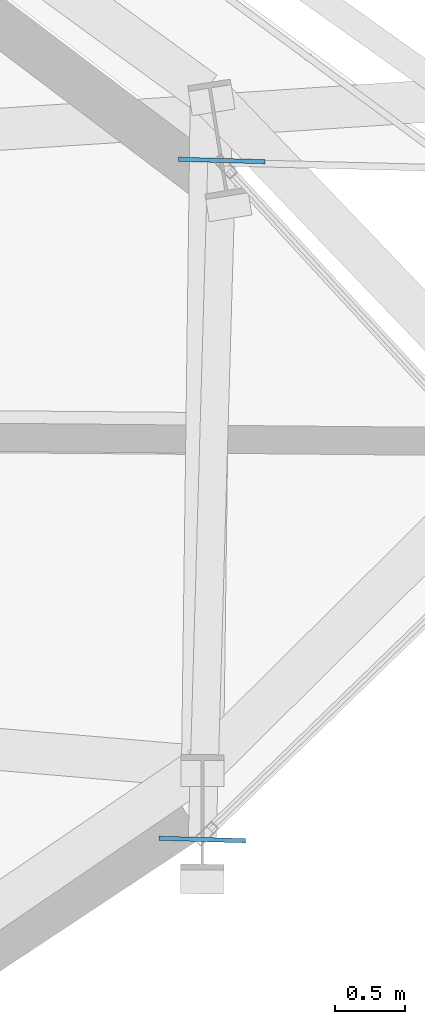
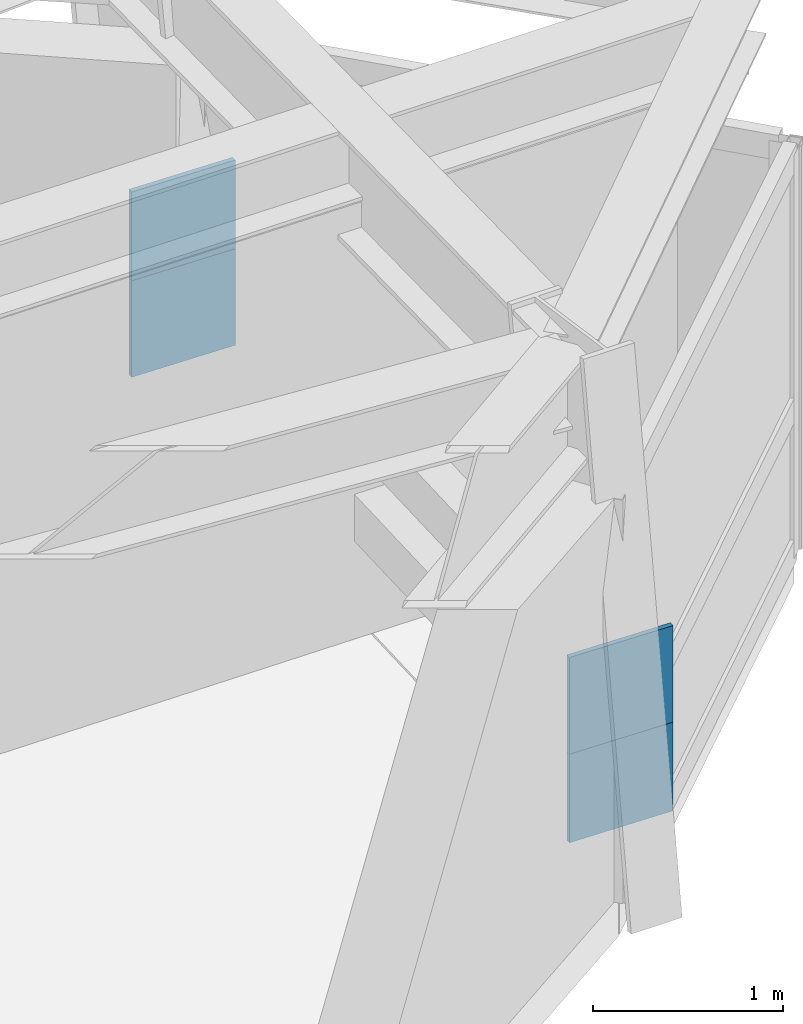
# One storey, part 16 of 24: 4 plates.
"""IFC4 building model written with IfcOpenShell, lengths in metres."""

import ifcopenshell
import ifcopenshell.guid

model = None  # the IFC model being written
_history = None  # IfcOwnerHistory: only IFC2X3 demands one
_inside = {}  # id of a spatial element -> (the spatial element, [elements in it])
_under = {}  # id of a project, library or spatial element -> (it, [spatial elements below it])
_declared = {}  # id of a project -> (the project, [libraries it declares])
_typed = {}  # id of a type object -> (the type object, [elements of that type])
_made_of = {}  # id of a material, layer set ... -> (it, [elements and type objects made of it])


def new_model(schema):
    """Start an empty IFC model of exactly this schema.

    Asked for "IFC4X3", IfcOpenShell would pick the latest addendum, in which some entities
    have other attributes; the version numbers below select the first issue.
    IFC2X3 requires an IfcOwnerHistory on every rooted entity: one is made here for all.
    """
    global model, _history
    if schema == "IFC4X3":
        model = ifcopenshell.file(schema_version=(4, 3, 0, 0))
    else:
        model = ifcopenshell.file(schema=schema)
    _inside.clear()
    _under.clear()
    _declared.clear()
    _typed.clear()
    _made_of.clear()
    _history = None
    if model.schema == "IFC2X3":
        org = make("IfcOrganization", Name="unknown")
        user = make(
            "IfcPersonAndOrganization",
            ThePerson=make("IfcPerson", FamilyName="unknown"),
            TheOrganization=org,
        )
        app = make(
            "IfcApplication",
            ApplicationDeveloper=org,
            Version="unknown",
            ApplicationFullName="unknown",
            ApplicationIdentifier="unknown",
        )
        _history = make(
            "IfcOwnerHistory",
            OwningUser=user,
            OwningApplication=app,
            ChangeAction="ADDED",
            CreationDate=0,
        )
    return model


def make(cls, **values):
    """One entity of the class cls with the attributes given. An attribute that is None is left unset."""
    return model.create_entity(
        cls, **{name: value for name, value in values.items() if value is not None}
    )


def rooted(cls, **values):
    """An entity with a GlobalId (a new one), such as an element, a storey or a relation."""
    return make(cls, GlobalId=ifcopenshell.guid.new(), OwnerHistory=_history, **values)


def si_unit(unit_type, name, prefix=None):
    """IfcSIUnit, for example si_unit("LENGTHUNIT", "METRE", prefix="MILLI")."""
    return make("IfcSIUnit", UnitType=unit_type, Prefix=prefix, Name=name)


def assignment(units):
    """IfcUnitAssignment: the units of a project."""
    return None if units is None else make("IfcUnitAssignment", Units=units)


def point(xyz):
    """IfcCartesianPoint."""
    return None if xyz is None else make("IfcCartesianPoint", Coordinates=xyz)


def direction(xyz):
    """IfcDirection."""
    return None if xyz is None else make("IfcDirection", DirectionRatios=xyz)


def frame(location, z_axis=None, x_axis=None):
    """IfcAxis2Placement3D, a coordinate frame: its origin and axes. An axis left out is left unset."""
    return make(
        "IfcAxis2Placement3D",
        Location=point(location),
        Axis=direction(z_axis),
        RefDirection=direction(x_axis),
    )


def frame_2d(location, x_axis=None):
    """IfcAxis2Placement2D, a coordinate frame in the plane: its origin and x axis."""
    return make(
        "IfcAxis2Placement2D", Location=point(location), RefDirection=direction(x_axis)
    )


def origin():
    """The frame at (0, 0, 0) with its axes left unset."""
    return frame((0.0, 0.0, 0.0))


def origin_2d():
    """The frame at (0, 0) in the plane with its x axis left unset."""
    return frame_2d((0.0, 0.0))


def place(relative_to, where):
    """IfcLocalPlacement: puts the frame where relative to a parent placement (None: the world)."""
    return make(
        "IfcLocalPlacement", PlacementRelTo=relative_to, RelativePlacement=where
    )


def context(
    kind, dimensions, precision=None, world=None, true_north=None, identifier=None
):
    """IfcGeometricRepresentationContext, for example the 3D "Model" context."""
    return make(
        "IfcGeometricRepresentationContext",
        ContextIdentifier=identifier,
        ContextType=kind,
        CoordinateSpaceDimension=dimensions,
        Precision=precision,
        WorldCoordinateSystem=world,
        TrueNorth=true_north,
    )


def subcontext(parent, identifier, kind, view, scale=None):
    """IfcGeometricRepresentationSubContext, for example "Body" below "Model"."""
    return make(
        "IfcGeometricRepresentationSubContext",
        ContextIdentifier=identifier,
        ContextType=kind,
        ParentContext=parent,
        TargetScale=scale,
        TargetView=view,
    )


def project(units=None, contexts=None):
    """IfcProject with its units and contexts."""
    return rooted(
        "IfcProject",
        Name="project",
        RepresentationContexts=contexts,
        UnitsInContext=assignment(units),
    )


def spatial(cls, under=None, at=None, **own):
    """A site, building, storey or space (cls), placed at a placement, below another one or the project."""
    s = rooted(cls, ObjectPlacement=at, **own)
    if under is not None:
        _under.setdefault(under.id(), (under, []))[1].append(s)
    return s


def profile(cls, at=None, kind="AREA", **sizes):
    """A parametric profile (cls). Its sizes go by their IFC names, for example OverallWidth=200.0."""
    return make(cls, ProfileType=kind, Position=at, **sizes)


def rectangle(**sizes):
    """IfcRectangleProfileDef."""
    return profile("IfcRectangleProfileDef", **sizes)


def extrude(swept, where, along, depth):
    """IfcExtrudedAreaSolid: the profile swept, set in the frame where, extruded along a direction by depth."""
    return make(
        "IfcExtrudedAreaSolid",
        SweptArea=swept,
        Position=where,
        ExtrudedDirection=direction(along),
        Depth=depth,
    )


def shape(context_of_items, identifier, shape_type, items):
    """IfcShapeRepresentation: the items that make up one representation, for example the "Body"."""
    return make(
        "IfcShapeRepresentation",
        ContextOfItems=context_of_items,
        RepresentationIdentifier=identifier,
        RepresentationType=shape_type,
        Items=items,
    )


def source(mapping_origin, context_of_items, identifier, shape_type, items):
    """IfcRepresentationMap: a shape defined once, which mapped items show again and again."""
    return make(
        "IfcRepresentationMap",
        MappingOrigin=mapping_origin,
        MappedRepresentation=shape(context_of_items, identifier, shape_type, items),
    )


def transform(
    local_origin,
    x_axis=None,
    y_axis=None,
    z_axis=None,
    scale=None,
    scale2=None,
    scale3=None,
    uniform=True,
):
    """IfcCartesianTransformationOperator3D, or its non-uniform kind. x_axis, y_axis, z_axis: its Axis1, 2, 3."""
    if uniform:
        return make(
            "IfcCartesianTransformationOperator3D",
            Axis1=direction(x_axis),
            Axis2=direction(y_axis),
            LocalOrigin=point(local_origin),
            Scale=scale,
            Axis3=direction(z_axis),
        )
    return make(
        "IfcCartesianTransformationOperator3DnonUniform",
        Axis1=direction(x_axis),
        Axis2=direction(y_axis),
        LocalOrigin=point(local_origin),
        Scale=scale,
        Axis3=direction(z_axis),
        Scale2=scale2,
        Scale3=scale3,
    )


def mapped(mapping_source, mapping_target):
    """IfcMappedItem: shows the shape of a source again, moved by a transform."""
    return make(
        "IfcMappedItem", MappingSource=mapping_source, MappingTarget=mapping_target
    )


def material(Name=None, Category=None):
    """IfcMaterial."""
    return make("IfcMaterial", Name=Name, Category=Category)


def made_of(thing, what):
    """Note that an element or type object is made of a material, layer set ...; save() writes the relation."""
    if what is not None:
        _made_of.setdefault(what.id(), (what, []))[1].append(thing)
    return thing


def type_object(cls, material=None, **own):
    """A type object (cls), such as IfcWallType, which elements share."""
    return made_of(rooted(cls, **own), material)


def element(
    cls,
    number,
    at=None,
    inside=None,
    cuts=None,
    type_object=None,
    material=None,
    context=None,
    identifier="Body",
    shape_type=None,
    held_by="IfcProductDefinitionShape",
    body=None,
    shapes=None,
    **own,
):
    """One element of the class cls, such as IfcWall. Its Tag is "e" and its number.

    at: its placement. inside: the storey or other place that contains it. cuts: it is an
    opening in that element (IfcRelVoidsElement). A single representation is given by context,
    identifier, shape_type and body (its items); several are given by shapes. held_by: the class
    of the entity that holds the representations. save() writes the other relations.
    """
    e = rooted(cls, Tag="e%d" % number, ObjectPlacement=at, **own)
    if body is not None:
        shapes = [shape(context, identifier, shape_type, body)]
    if shapes is not None:
        e.Representation = make(held_by, Representations=shapes)
    if inside is not None:
        _inside.setdefault(inside.id(), (inside, []))[1].append(e)
    if cuts is not None:
        rooted(
            "IfcRelVoidsElement", RelatingBuildingElement=cuts, RelatedOpeningElement=e
        )
    if type_object is not None:
        _typed.setdefault(type_object.id(), (type_object, []))[1].append(e)
    return made_of(e, material)


def aggregate(whole, parts):
    """IfcRelAggregates: a whole, such as a stair, and the parts it consists of."""
    return rooted("IfcRelAggregates", RelatingObject=whole, RelatedObjects=parts)


def save(model, path):
    """Write the relations noted so far, then the file.

    IfcRelAggregates (storeys below a building ...), IfcRelContainedInSpatialStructure (elements
    in a storey), IfcRelDefinesByType, IfcRelAssociatesMaterial and IfcRelDeclares: one each for
    every whole, place, type object, material and project.
    """
    for whole, parts in _under.values():
        aggregate(whole, parts)
    for where, things in _inside.values():
        rooted(
            "IfcRelContainedInSpatialStructure",
            RelatedElements=things,
            RelatingStructure=where,
        )
    for kind, things in _typed.values():
        rooted("IfcRelDefinesByType", RelatedObjects=things, RelatingType=kind)
    for what, things in _made_of.values():
        rooted("IfcRelAssociatesMaterial", RelatedObjects=things, RelatingMaterial=what)
    for by, libraries in _declared.values():
        rooted("IfcRelDeclares", RelatingContext=by, RelatedDefinitions=libraries)
    model.write(path)


model = new_model("IFC4")

# Units and contexts
model_context = context("Model", 3, precision=1e-05, world=origin(), true_north=direction((0.0, 1.0)))
body_context = subcontext(model_context, "Body", "Model", "MODEL_VIEW")
ifc_project = project(units=[si_unit("LENGTHUNIT", "METRE"), si_unit("AREAUNIT", "SQUARE_METRE"), si_unit("VOLUMEUNIT", "CUBIC_METRE"), si_unit("PLANEANGLEUNIT", "RADIAN"), si_unit("MASSUNIT", "GRAM", prefix="KILO")], contexts=[model_context])

# Site, building, storey
site_placement = place(None, origin())
site = spatial("IfcSite", under=ifc_project, at=site_placement, CompositionType="ELEMENT")
building_placement = place(site_placement, origin())
building = spatial("IfcBuilding", under=site, at=building_placement, Name="Olszyna Solenne Hotel", CompositionType="ELEMENT")
storey_placement = place(building_placement, frame((0.0, 0.0, 29.300048828125)))
storey = spatial("IfcBuildingStorey", under=building, at=storey_placement, Name="L06", CompositionType="ELEMENT", Elevation=29.300048828125)

# Plates
ifc_material = material(Name="Steel S460M", Category="steel")
plate_type = type_object("IfcPlateType", Name="GP-CAP2", PredefinedType="USERDEFINED", material=ifc_material)
shared_shape = source(origin(), body_context, "Body", "SweptSolid", [
    extrude(rectangle(XDim=0.030029296875, YDim=0.6201171875, at=origin_2d()), origin(), (0.0, 0.0, 1.0), 0.6201171875),
])
for number, where, z_axis, x_axis, name in (
    (1, (68.91064453125, 23.454833984375, 1.039794921875), (0.0, 0.0, 1.0), (0.028793952368, 0.999585368194, 0.0), "Hollow section end-cap plate GP-CAP2 CP-PR-M-L06-PR1-1"),
    (2, (69.05029296875, 28.305908203125, 1.039794921875), (0.0, 0.0, 1.0), (0.028793952368, 0.999585368194, 0.0), "Hollow section end-cap plate GP-CAP2 CP-PR-M-L06-PR1-2"),
    (3, (68.91064453125, 23.454833984375, 0.469970703125), (0.0, 0.0, 1.0), (0.028793952368, 0.999585368194, 0.0), "Hollow section end-cap plate GP-CAP2 CP-PR-M-L06-PR2-1"),
    (4, (69.05029296875, 28.305908203125, 0.469970703125), (0.0, 0.0, 1.0), (0.028793952368, 0.999585368194, 0.0), "Hollow section end-cap plate GP-CAP2 CP-PR-M-L06-PR2-2"),
):
    element("IfcPlate", number, at=place(storey_placement, frame(where, z_axis=z_axis, x_axis=x_axis)), inside=storey, type_object=plate_type, Name=name, ObjectType="GUSSET_PLATE", PredefinedType="USERDEFINED", context=body_context, shape_type="MappedRepresentation", body=[
        mapped(shared_shape, transform((0.0, 0.0, 0.0), x_axis=(1.0, 0.0, 0.0), y_axis=(0.0, 1.0, 0.0), z_axis=(0.0, 0.0, 1.0), scale=1.0)),
    ])

save(model, "model.ifc")
